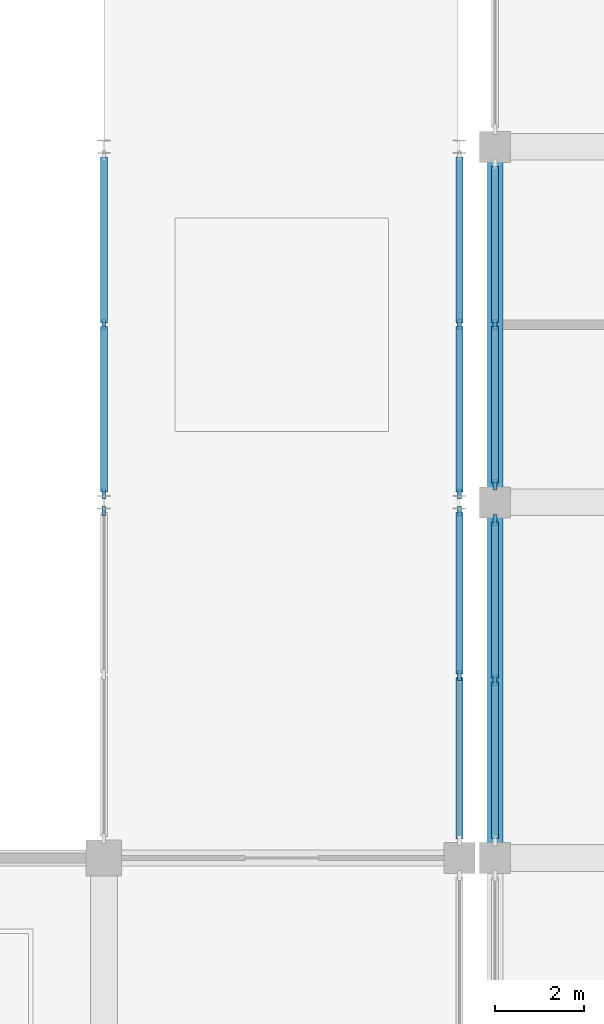
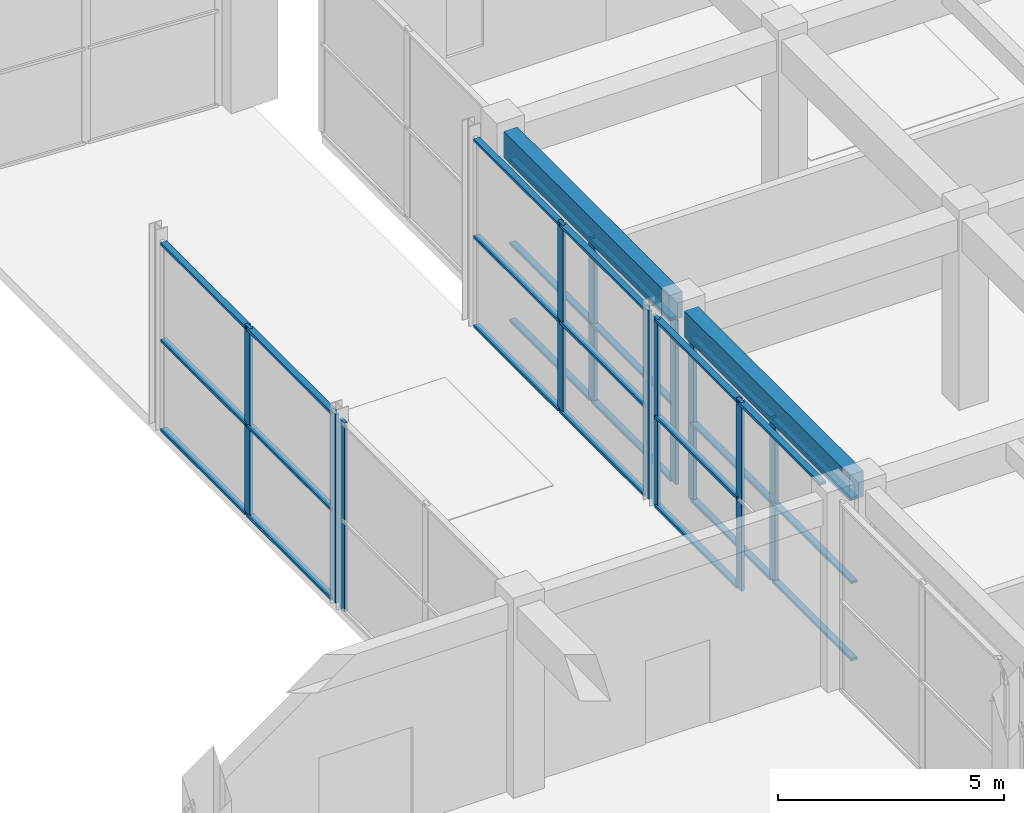
# One storey, part 26 of 86: 39 members, 2 beams, 6 elements without a shape of their own.
"""IFC4 building model written with IfcOpenShell, lengths in metres."""

from ifc_helpers import new_model, si_unit, direction, frame, origin, origin_2d, place, context, subcontext, project, spatial, rectangle, extrude, material, material_profile, profile_set, type_object, element, aggregate, save


model = new_model("IFC4")

# Units and contexts
model_context = context("Model", 3, precision=1e-05, world=origin(), true_north=direction((0.0, 1.0)))
body_context = subcontext(model_context, "Body", "Model", "MODEL_VIEW")
ifc_project = project(units=[si_unit("LENGTHUNIT", "METRE"), si_unit("AREAUNIT", "SQUARE_METRE"), si_unit("VOLUMEUNIT", "CUBIC_METRE"), si_unit("PLANEANGLEUNIT", "RADIAN"), si_unit("MASSUNIT", "GRAM", prefix="KILO")], contexts=[model_context])

# Site, building, storey
site_placement = place(None, origin())
site = spatial("IfcSite", under=ifc_project, at=site_placement, CompositionType="ELEMENT")
building_placement = place(site_placement, origin())
building = spatial("IfcBuilding", under=site, at=building_placement, Name="Kenh Van Central Station", CompositionType="ELEMENT")
storey_placement = place(building_placement, origin())
storey = spatial("IfcBuildingStorey", under=building, at=storey_placement, Name="L00", CompositionType="ELEMENT", Elevation=0.0)

# Curtain wall, members
ifc_material_1 = material(Name="Champagne anodised aluminium", Category="aluminium")
curtain_wall_type_1 = type_object("IfcCurtainWallType", Name="CW-OPER-B", PredefinedType="NOTDEFINED", material=ifc_material_1)
curtain_wall_1_placement = place(storey_placement, origin())
curtain_wall_1 = element("IfcCurtainWall", 1, at=curtain_wall_1_placement, inside=storey, type_object=curtain_wall_type_1, Name="L00 curtain wall 070", PredefinedType="NOTDEFINED")
ifc_material_profile_1 = material_profile(ifc_material_1, rectangle(XDim=0.087890625, YDim=0.239990234375, at=origin_2d()), Name="AL 88x240")
ifc_profile_set_1 = profile_set([ifc_material_profile_1], Name="Champagne anodised aluminium")
member_type_1 = type_object("IfcMemberType", Name="CWM-60x140", PredefinedType="MULLION", material=ifc_profile_set_1)
member_1_placement = place(storey_placement, frame((120.800048828125, 52.0, 0.0), z_axis=(0.0, 0.0, 1.0), x_axis=(1.0, 0.0, 0.0)))
member_1 = element("IfcMember", 2, at=member_1_placement, type_object=member_type_1, Name="CW-08 mullion 2", PredefinedType="MULLION", context=body_context, shape_type="SweptSolid", body=[
    extrude(rectangle(XDim=0.087890625, YDim=0.239990234375, at=origin_2d()), origin(), (0.0, 0.0, 1.0), 4.419921875),
])
member_2_placement = place(storey_placement, frame((120.800048828125, 48.39404296875, 0.0), z_axis=(0.0, 0.0, 1.0), x_axis=(1.0, 0.0, 0.0)))
member_2 = element("IfcMember", 3, at=member_2_placement, type_object=member_type_1, Name="CW-08 mullion 3", PredefinedType="MULLION", context=body_context, shape_type="SweptSolid", body=[
    extrude(rectangle(XDim=0.087890625, YDim=0.239990234375, at=origin_2d()), origin(), (0.0, 0.0, 1.0), 4.419921875),
])

curtain_wall_2_placement = place(storey_placement, origin())
curtain_wall_2 = element("IfcCurtainWall", 4, at=curtain_wall_2_placement, inside=storey, type_object=curtain_wall_type_1, Name="L00 curtain wall 071", PredefinedType="NOTDEFINED")
member_3_placement = place(storey_placement, frame((120.800048828125, 47.60595703125, 0.0), z_axis=(0.0, 0.0, 1.0), x_axis=(1.0, 0.0, 0.0)))
member_3 = element("IfcMember", 5, at=member_3_placement, type_object=member_type_1, Name="CW-08 mullion 1", PredefinedType="MULLION", context=body_context, shape_type="SweptSolid", body=[
    extrude(rectangle(XDim=0.087890625, YDim=0.239990234375, at=origin_2d()), origin(), (0.0, 0.0, 1.0), 4.419921875),
])
member_4_placement = place(storey_placement, frame((120.800048828125, 44.0, 0.0), z_axis=(0.0, 0.0, 1.0), x_axis=(1.0, 0.0, 0.0)))
member_4 = element("IfcMember", 6, at=member_4_placement, type_object=member_type_1, Name="CW-08 mullion 2", PredefinedType="MULLION", context=body_context, shape_type="SweptSolid", body=[
    extrude(rectangle(XDim=0.087890625, YDim=0.239990234375, at=origin_2d()), origin(), (0.0, 0.0, 1.0), 4.419921875),
])

curtain_wall_type_2 = type_object("IfcCurtainWallType", Name="CW-CONC-B", PredefinedType="NOTDEFINED", material=ifc_material_1)
curtain_wall_3_placement = place(storey_placement, origin())
curtain_wall_3 = element("IfcCurtainWall", 7, at=curtain_wall_3_placement, inside=storey, type_object=curtain_wall_type_2, Name="L00 curtain wall 031", PredefinedType="NOTDEFINED")
ifc_material_profile_2 = material_profile(ifc_material_1, rectangle(XDim=0.08203125, YDim=0.22509765625, at=origin_2d()), Name="AL 82x225")
ifc_profile_set_2 = profile_set([ifc_material_profile_2], Name="Champagne anodised aluminium")
member_type_2 = type_object("IfcMemberType", Name="CWM-70x180", PredefinedType="MULLION", material=ifc_profile_set_2)
member_5_placement = place(storey_placement, frame((112.0, 52.0, 0.0), z_axis=(0.0, 0.0, 1.0), x_axis=(1.0, 0.0, 0.0)))
member_5 = element("IfcMember", 8, at=member_5_placement, type_object=member_type_2, Name="CW-04 mullion 2", PredefinedType="MULLION", context=body_context, shape_type="SweptSolid", body=[
    extrude(rectangle(XDim=0.08203125, YDim=0.22509765625, at=origin_2d()), origin(), (0.0, 0.0, 1.0), 5.10009765625),
])
member_6_placement = place(storey_placement, frame((112.0, 48.19091796875, 0.0), z_axis=(0.0, 0.0, 1.0), x_axis=(1.0, 0.0, 0.0)))
member_6 = element("IfcMember", 9, at=member_6_placement, type_object=member_type_2, Name="CW-04 mullion 3", PredefinedType="MULLION", context=body_context, shape_type="SweptSolid", body=[
    extrude(rectangle(XDim=0.08203125, YDim=0.22509765625, at=origin_2d()), origin(), (0.0, 0.0, 1.0), 5.10009765625),
])

# Curtain wall, member
curtain_wall_4_placement = place(storey_placement, origin())
curtain_wall_4 = element("IfcCurtainWall", 10, at=curtain_wall_4_placement, inside=storey, type_object=curtain_wall_type_2, Name="L00 curtain wall 032", PredefinedType="NOTDEFINED")
member_7_placement = place(storey_placement, frame((112.0, 47.80908203125, 0.0), z_axis=(0.0, 0.0, 1.0), x_axis=(1.0, 0.0, 0.0)))
member_7 = element("IfcMember", 11, at=member_7_placement, type_object=member_type_2, Name="CW-04 mullion 1", PredefinedType="MULLION", context=body_context, shape_type="SweptSolid", body=[
    extrude(rectangle(XDim=0.08203125, YDim=0.22509765625, at=origin_2d()), origin(), (0.0, 0.0, 1.0), 5.10009765625),
])
aggregate(curtain_wall_4, [member_7])

# Curtain wall, members
curtain_wall_5_placement = place(storey_placement, origin())
curtain_wall_5 = element("IfcCurtainWall", 12, at=curtain_wall_5_placement, inside=storey, type_object=curtain_wall_type_2, Name="L00 curtain wall 036", PredefinedType="NOTDEFINED")
member_8_placement = place(storey_placement, frame((120.0, 44.10009765625, 0.0), z_axis=(0.0, 0.0, 1.0), x_axis=(-1.0, 0.0, 0.0)))
member_8 = element("IfcMember", 13, at=member_8_placement, type_object=member_type_2, Name="CW-04 mullion 2", PredefinedType="MULLION", context=body_context, shape_type="SweptSolid", body=[
    extrude(rectangle(XDim=0.08203125, YDim=0.22509765625, at=origin_2d()), origin(), (0.0, 0.0, 1.0), 5.10009765625),
])
member_9_placement = place(storey_placement, frame((120.0, 47.80908203125, 0.0), z_axis=(0.0, 0.0, 1.0), x_axis=(-1.0, 0.0, 0.0)))
member_9 = element("IfcMember", 14, at=member_9_placement, type_object=member_type_2, Name="CW-04 mullion 3", PredefinedType="MULLION", context=body_context, shape_type="SweptSolid", body=[
    extrude(rectangle(XDim=0.08203125, YDim=0.22509765625, at=origin_2d()), origin(), (0.0, 0.0, 1.0), 5.10009765625),
])

curtain_wall_6_placement = place(storey_placement, origin())
curtain_wall_6 = element("IfcCurtainWall", 15, at=curtain_wall_6_placement, inside=storey, type_object=curtain_wall_type_2, Name="L00 curtain wall 037", PredefinedType="NOTDEFINED")
member_10_placement = place(storey_placement, frame((120.0, 48.19091796875, 0.0), z_axis=(0.0, 0.0, 1.0), x_axis=(-1.0, 0.0, 0.0)))
member_10 = element("IfcMember", 16, at=member_10_placement, type_object=member_type_2, Name="CW-04 mullion 1", PredefinedType="MULLION", context=body_context, shape_type="SweptSolid", body=[
    extrude(rectangle(XDim=0.08203125, YDim=0.22509765625, at=origin_2d()), origin(), (0.0, 0.0, 1.0), 5.10009765625),
])
member_11_placement = place(storey_placement, frame((120.0, 52.0, 0.0), z_axis=(0.0, 0.0, 1.0), x_axis=(-1.0, 0.0, 0.0)))
member_11 = element("IfcMember", 17, at=member_11_placement, type_object=member_type_2, Name="CW-04 mullion 2", PredefinedType="MULLION", context=body_context, shape_type="SweptSolid", body=[
    extrude(rectangle(XDim=0.08203125, YDim=0.22509765625, at=origin_2d()), origin(), (0.0, 0.0, 1.0), 5.10009765625),
])

# Member
ifc_material_profile_3 = material_profile(ifc_material_1, rectangle(XDim=0.155029296875, YDim=0.072021484375, at=origin_2d()), Name="AL 155x72")
ifc_profile_set_3 = profile_set([ifc_material_profile_3], Name="Champagne anodised aluminium")
member_type_3 = type_object("IfcMemberType", Name="CWT-120x60", PredefinedType="USERDEFINED", material=ifc_profile_set_3)
member_12_placement = place(storey_placement, frame((112.0, 55.76806640625, 0.035888671875), z_axis=(0.0, -1.0, 0.0), x_axis=(1.0, 0.0, 0.0)))
member_12 = element("IfcMember", 18, at=member_12_placement, type_object=member_type_3, Name="CW-04 transom 1.1", ObjectType="TRANSOM", PredefinedType="USERDEFINED", context=body_context, shape_type="SweptSolid", body=[
    extrude(rectangle(XDim=0.155029296875, YDim=0.072021484375, at=origin_2d()), origin(), (0.0, 0.0, 1.0), 3.72705078125),
])

member_13_placement = place(storey_placement, frame((112.0, 55.76806640625, 2.447998046875), z_axis=(0.0, -1.0, 0.0), x_axis=(1.0, 0.0, 0.0)))
member_13 = element("IfcMember", 19, at=member_13_placement, type_object=member_type_3, Name="CW-04 transom 1.2", ObjectType="TRANSOM", PredefinedType="USERDEFINED", context=body_context, shape_type="SweptSolid", body=[
    extrude(rectangle(XDim=0.155029296875, YDim=0.072021484375, at=origin_2d()), origin(), (0.0, 0.0, 1.0), 3.72705078125),
])

member_14_placement = place(storey_placement, frame((112.0, 55.76806640625, 5.06396484375), z_axis=(0.0, -1.0, 0.0), x_axis=(1.0, 0.0, 0.0)))
member_14 = element("IfcMember", 20, at=member_14_placement, type_object=member_type_3, Name="CW-04 transom 1.3", ObjectType="TRANSOM", PredefinedType="USERDEFINED", context=body_context, shape_type="SweptSolid", body=[
    extrude(rectangle(XDim=0.155029296875, YDim=0.072021484375, at=origin_2d()), origin(), (0.0, 0.0, 1.0), 3.72705078125),
])

member_15_placement = place(storey_placement, frame((112.0, 51.958984375, 0.035888671875), z_axis=(0.0, -1.0, 0.0), x_axis=(1.0, 0.0, 0.0)))
member_15 = element("IfcMember", 21, at=member_15_placement, type_object=member_type_3, Name="CW-04 transom 2.1", ObjectType="TRANSOM", PredefinedType="USERDEFINED", context=body_context, shape_type="SweptSolid", body=[
    extrude(rectangle(XDim=0.155029296875, YDim=0.072021484375, at=origin_2d()), origin(), (0.0, 0.0, 1.0), 3.72705078125),
])

member_16_placement = place(storey_placement, frame((112.0, 51.958984375, 2.447998046875), z_axis=(0.0, -1.0, 0.0), x_axis=(1.0, 0.0, 0.0)))
member_16 = element("IfcMember", 22, at=member_16_placement, type_object=member_type_3, Name="CW-04 transom 2.2", ObjectType="TRANSOM", PredefinedType="USERDEFINED", context=body_context, shape_type="SweptSolid", body=[
    extrude(rectangle(XDim=0.155029296875, YDim=0.072021484375, at=origin_2d()), origin(), (0.0, 0.0, 1.0), 3.72705078125),
])

member_17_placement = place(storey_placement, frame((112.0, 51.958984375, 5.06396484375), z_axis=(0.0, -1.0, 0.0), x_axis=(1.0, 0.0, 0.0)))
member_17 = element("IfcMember", 23, at=member_17_placement, type_object=member_type_3, Name="CW-04 transom 2.3", ObjectType="TRANSOM", PredefinedType="USERDEFINED", context=body_context, shape_type="SweptSolid", body=[
    extrude(rectangle(XDim=0.155029296875, YDim=0.072021484375, at=origin_2d()), origin(), (0.0, 0.0, 1.0), 3.72705078125),
])

aggregate(curtain_wall_3, [member_5, member_6, member_12, member_13, member_14, member_15, member_16, member_17])

member_18_placement = place(storey_placement, frame((120.0, 40.431884765625, 5.06396484375), z_axis=(0.0, 1.0, 0.0), x_axis=(-1.0, 0.0, 0.0)))
member_18 = element("IfcMember", 24, at=member_18_placement, type_object=member_type_3, Name="CW-04 transom 1.3", ObjectType="TRANSOM", PredefinedType="USERDEFINED", context=body_context, shape_type="SweptSolid", body=[
    extrude(rectangle(XDim=0.155029296875, YDim=0.072021484375, at=origin_2d()), origin(), (0.0, 0.0, 1.0), 3.627197265625),
])

member_19_placement = place(storey_placement, frame((120.0, 44.14111328125, 0.035888671875), z_axis=(0.0, 1.0, 0.0), x_axis=(-1.0, 0.0, 0.0)))
member_19 = element("IfcMember", 25, at=member_19_placement, type_object=member_type_3, Name="CW-04 transom 2.1", ObjectType="TRANSOM", PredefinedType="USERDEFINED", context=body_context, shape_type="SweptSolid", body=[
    extrude(rectangle(XDim=0.155029296875, YDim=0.072021484375, at=origin_2d()), origin(), (0.0, 0.0, 1.0), 3.626953125),
])

member_20_placement = place(storey_placement, frame((120.0, 44.14111328125, 2.447998046875), z_axis=(0.0, 1.0, 0.0), x_axis=(-1.0, 0.0, 0.0)))
member_20 = element("IfcMember", 26, at=member_20_placement, type_object=member_type_3, Name="CW-04 transom 2.2", ObjectType="TRANSOM", PredefinedType="USERDEFINED", context=body_context, shape_type="SweptSolid", body=[
    extrude(rectangle(XDim=0.155029296875, YDim=0.072021484375, at=origin_2d()), origin(), (0.0, 0.0, 1.0), 3.626953125),
])

member_21_placement = place(storey_placement, frame((120.0, 44.14111328125, 5.06396484375), z_axis=(0.0, 1.0, 0.0), x_axis=(-1.0, 0.0, 0.0)))
member_21 = element("IfcMember", 27, at=member_21_placement, type_object=member_type_3, Name="CW-04 transom 2.3", ObjectType="TRANSOM", PredefinedType="USERDEFINED", context=body_context, shape_type="SweptSolid", body=[
    extrude(rectangle(XDim=0.155029296875, YDim=0.072021484375, at=origin_2d()), origin(), (0.0, 0.0, 1.0), 3.626953125),
])

aggregate(curtain_wall_5, [member_8, member_9, member_18, member_19, member_20, member_21])

member_22_placement = place(storey_placement, frame((120.0, 48.23193359375, 0.035888671875), z_axis=(0.0, 1.0, 0.0), x_axis=(-1.0, 0.0, 0.0)))
member_22 = element("IfcMember", 28, at=member_22_placement, type_object=member_type_3, Name="CW-04 transom 1.1", ObjectType="TRANSOM", PredefinedType="USERDEFINED", context=body_context, shape_type="SweptSolid", body=[
    extrude(rectangle(XDim=0.155029296875, YDim=0.072021484375, at=origin_2d()), origin(), (0.0, 0.0, 1.0), 3.72705078125),
])

member_23_placement = place(storey_placement, frame((120.0, 48.23193359375, 2.447998046875), z_axis=(0.0, 1.0, 0.0), x_axis=(-1.0, 0.0, 0.0)))
member_23 = element("IfcMember", 29, at=member_23_placement, type_object=member_type_3, Name="CW-04 transom 1.2", ObjectType="TRANSOM", PredefinedType="USERDEFINED", context=body_context, shape_type="SweptSolid", body=[
    extrude(rectangle(XDim=0.155029296875, YDim=0.072021484375, at=origin_2d()), origin(), (0.0, 0.0, 1.0), 3.72705078125),
])

member_24_placement = place(storey_placement, frame((120.0, 48.23193359375, 5.06396484375), z_axis=(0.0, 1.0, 0.0), x_axis=(-1.0, 0.0, 0.0)))
member_24 = element("IfcMember", 30, at=member_24_placement, type_object=member_type_3, Name="CW-04 transom 1.3", ObjectType="TRANSOM", PredefinedType="USERDEFINED", context=body_context, shape_type="SweptSolid", body=[
    extrude(rectangle(XDim=0.155029296875, YDim=0.072021484375, at=origin_2d()), origin(), (0.0, 0.0, 1.0), 3.72705078125),
])

member_25_placement = place(storey_placement, frame((120.0, 52.041015625, 0.035888671875), z_axis=(0.0, 1.0, 0.0), x_axis=(-1.0, 0.0, 0.0)))
member_25 = element("IfcMember", 31, at=member_25_placement, type_object=member_type_3, Name="CW-04 transom 2.1", ObjectType="TRANSOM", PredefinedType="USERDEFINED", context=body_context, shape_type="SweptSolid", body=[
    extrude(rectangle(XDim=0.155029296875, YDim=0.072021484375, at=origin_2d()), origin(), (0.0, 0.0, 1.0), 3.72705078125),
])

member_26_placement = place(storey_placement, frame((120.0, 52.041015625, 2.447998046875), z_axis=(0.0, 1.0, 0.0), x_axis=(-1.0, 0.0, 0.0)))
member_26 = element("IfcMember", 32, at=member_26_placement, type_object=member_type_3, Name="CW-04 transom 2.2", ObjectType="TRANSOM", PredefinedType="USERDEFINED", context=body_context, shape_type="SweptSolid", body=[
    extrude(rectangle(XDim=0.155029296875, YDim=0.072021484375, at=origin_2d()), origin(), (0.0, 0.0, 1.0), 3.72705078125),
])

member_27_placement = place(storey_placement, frame((120.0, 52.041015625, 5.06396484375), z_axis=(0.0, 1.0, 0.0), x_axis=(-1.0, 0.0, 0.0)))
member_27 = element("IfcMember", 33, at=member_27_placement, type_object=member_type_3, Name="CW-04 transom 2.3", ObjectType="TRANSOM", PredefinedType="USERDEFINED", context=body_context, shape_type="SweptSolid", body=[
    extrude(rectangle(XDim=0.155029296875, YDim=0.072021484375, at=origin_2d()), origin(), (0.0, 0.0, 1.0), 3.72705078125),
])

aggregate(curtain_wall_6, [member_10, member_11, member_22, member_23, member_24, member_25, member_26, member_27])

member_28_placement = place(storey_placement, frame((120.800048828125, 55.56201171875, 0.035888671875), z_axis=(0.0, -1.0, 0.0), x_axis=(1.0, 0.0, 0.0)))
member_28 = element("IfcMember", 34, at=member_28_placement, type_object=member_type_3, Name="CW-08 transom 1.1", ObjectType="TRANSOM", PredefinedType="USERDEFINED", context=body_context, shape_type="SweptSolid", body=[
    extrude(rectangle(XDim=0.155029296875, YDim=0.072021484375, at=origin_2d()), origin(), (0.0, 0.0, 1.0), 3.51806640625),
])

member_29_placement = place(storey_placement, frame((120.800048828125, 55.56201171875, 2.12158203125), z_axis=(0.0, -1.0, 0.0), x_axis=(1.0, 0.0, 0.0)))
member_29 = element("IfcMember", 35, at=member_29_placement, type_object=member_type_3, Name="CW-08 transom 1.2", ObjectType="TRANSOM", PredefinedType="USERDEFINED", context=body_context, shape_type="SweptSolid", body=[
    extrude(rectangle(XDim=0.155029296875, YDim=0.072021484375, at=origin_2d()), origin(), (0.0, 0.0, 1.0), 3.51806640625),
])

member_30_placement = place(storey_placement, frame((120.800048828125, 55.56201171875, 4.384033203125), z_axis=(0.0, -1.0, 0.0), x_axis=(1.0, 0.0, 0.0)))
member_30 = element("IfcMember", 36, at=member_30_placement, type_object=member_type_3, Name="CW-08 transom 1.3", ObjectType="TRANSOM", PredefinedType="USERDEFINED", context=body_context, shape_type="SweptSolid", body=[
    extrude(rectangle(XDim=0.155029296875, YDim=0.072021484375, at=origin_2d()), origin(), (0.0, 0.0, 1.0), 3.51806640625),
])

member_31_placement = place(storey_placement, frame((120.800048828125, 51.9560546875, 0.035888671875), z_axis=(0.0, -1.0, 0.0), x_axis=(1.0, 0.0, 0.0)))
member_31 = element("IfcMember", 37, at=member_31_placement, type_object=member_type_3, Name="CW-08 transom 2.1", ObjectType="TRANSOM", PredefinedType="USERDEFINED", context=body_context, shape_type="SweptSolid", body=[
    extrude(rectangle(XDim=0.155029296875, YDim=0.072021484375, at=origin_2d()), origin(), (0.0, 0.0, 1.0), 3.51806640625),
])

member_32_placement = place(storey_placement, frame((120.800048828125, 51.9560546875, 2.12158203125), z_axis=(0.0, -1.0, 0.0), x_axis=(1.0, 0.0, 0.0)))
member_32 = element("IfcMember", 38, at=member_32_placement, type_object=member_type_3, Name="CW-08 transom 2.2", ObjectType="TRANSOM", PredefinedType="USERDEFINED", context=body_context, shape_type="SweptSolid", body=[
    extrude(rectangle(XDim=0.155029296875, YDim=0.072021484375, at=origin_2d()), origin(), (0.0, 0.0, 1.0), 3.51806640625),
])

member_33_placement = place(storey_placement, frame((120.800048828125, 51.9560546875, 4.384033203125), z_axis=(0.0, -1.0, 0.0), x_axis=(1.0, 0.0, 0.0)))
member_33 = element("IfcMember", 39, at=member_33_placement, type_object=member_type_3, Name="CW-08 transom 2.3", ObjectType="TRANSOM", PredefinedType="USERDEFINED", context=body_context, shape_type="SweptSolid", body=[
    extrude(rectangle(XDim=0.155029296875, YDim=0.072021484375, at=origin_2d()), origin(), (0.0, 0.0, 1.0), 3.51806640625),
])

aggregate(curtain_wall_1, [member_1, member_2, member_28, member_29, member_30, member_31, member_32, member_33])

member_34_placement = place(storey_placement, frame((120.800048828125, 47.56201171875, 0.035888671875), z_axis=(0.0, -1.0, 0.0), x_axis=(1.0, 0.0, 0.0)))
member_34 = element("IfcMember", 40, at=member_34_placement, type_object=member_type_3, Name="CW-08 transom 1.1", ObjectType="TRANSOM", PredefinedType="USERDEFINED", context=body_context, shape_type="SweptSolid", body=[
    extrude(rectangle(XDim=0.155029296875, YDim=0.072021484375, at=origin_2d()), origin(), (0.0, 0.0, 1.0), 3.51806640625),
])

member_35_placement = place(storey_placement, frame((120.800048828125, 47.56201171875, 2.12158203125), z_axis=(0.0, -1.0, 0.0), x_axis=(1.0, 0.0, 0.0)))
member_35 = element("IfcMember", 41, at=member_35_placement, type_object=member_type_3, Name="CW-08 transom 1.2", ObjectType="TRANSOM", PredefinedType="USERDEFINED", context=body_context, shape_type="SweptSolid", body=[
    extrude(rectangle(XDim=0.155029296875, YDim=0.072021484375, at=origin_2d()), origin(), (0.0, 0.0, 1.0), 3.51806640625),
])

member_36_placement = place(storey_placement, frame((120.800048828125, 47.56201171875, 4.384033203125), z_axis=(0.0, -1.0, 0.0), x_axis=(1.0, 0.0, 0.0)))
member_36 = element("IfcMember", 42, at=member_36_placement, type_object=member_type_3, Name="CW-08 transom 1.3", ObjectType="TRANSOM", PredefinedType="USERDEFINED", context=body_context, shape_type="SweptSolid", body=[
    extrude(rectangle(XDim=0.155029296875, YDim=0.072021484375, at=origin_2d()), origin(), (0.0, 0.0, 1.0), 3.51806640625),
])

member_37_placement = place(storey_placement, frame((120.800048828125, 43.9560546875, 0.035888671875), z_axis=(0.0, -1.0, 0.0), x_axis=(1.0, 0.0, 0.0)))
member_37 = element("IfcMember", 43, at=member_37_placement, type_object=member_type_3, Name="CW-08 transom 2.1", ObjectType="TRANSOM", PredefinedType="USERDEFINED", context=body_context, shape_type="SweptSolid", body=[
    extrude(rectangle(XDim=0.155029296875, YDim=0.072021484375, at=origin_2d()), origin(), (0.0, 0.0, 1.0), 3.51806640625),
])

member_38_placement = place(storey_placement, frame((120.800048828125, 43.9560546875, 2.12158203125), z_axis=(0.0, -1.0, 0.0), x_axis=(1.0, 0.0, 0.0)))
member_38 = element("IfcMember", 44, at=member_38_placement, type_object=member_type_3, Name="CW-08 transom 2.2", ObjectType="TRANSOM", PredefinedType="USERDEFINED", context=body_context, shape_type="SweptSolid", body=[
    extrude(rectangle(XDim=0.155029296875, YDim=0.072021484375, at=origin_2d()), origin(), (0.0, 0.0, 1.0), 3.51806640625),
])

member_39_placement = place(storey_placement, frame((120.800048828125, 43.9560546875, 4.384033203125), z_axis=(0.0, -1.0, 0.0), x_axis=(1.0, 0.0, 0.0)))
member_39 = element("IfcMember", 45, at=member_39_placement, type_object=member_type_3, Name="CW-08 transom 2.3", ObjectType="TRANSOM", PredefinedType="USERDEFINED", context=body_context, shape_type="SweptSolid", body=[
    extrude(rectangle(XDim=0.155029296875, YDim=0.072021484375, at=origin_2d()), origin(), (0.0, 0.0, 1.0), 3.51806640625),
])

aggregate(curtain_wall_2, [member_3, member_4, member_34, member_35, member_36, member_37, member_38, member_39])

# Beams
ifc_material_2 = material(Name="Concrete C35/45", Category="concrete")
ifc_material_profile_4 = material_profile(ifc_material_2, rectangle(XDim=0.35009765625, YDim=0.699951171875, at=origin_2d()), Name="RC 350x700")
ifc_profile_set_4 = profile_set([ifc_material_profile_4], Name="Concrete C35/45")
beam_type = type_object("IfcBeamType", Name="SPD-RC-350x700", PredefinedType="SPANDREL", material=ifc_profile_set_4)
for number, where, z_axis, x_axis, name in (
    (46, (120.800048828125, 40.340087890625, 4.77001953125), (0.0, 1.0, 0.0), (-1.0, 0.0, 0.0), "L00 beam 0517"),
    (47, (120.800048828125, 48.340087890625, 4.77001953125), (0.0, 1.0, 0.0), (-1.0, 0.0, 0.0), "L00 beam 0518"),
):
    element("IfcBeam", number, at=place(storey_placement, frame(where, z_axis=z_axis, x_axis=x_axis)), inside=storey, type_object=beam_type, Name=name, PredefinedType="SPANDREL", context=body_context, shape_type="SweptSolid", body=[
        extrude(rectangle(XDim=0.35009765625, YDim=0.699951171875, at=origin_2d()), origin(), (0.0, 0.0, 1.0), 7.31982421875),
    ])

save(model, "model.ifc")
